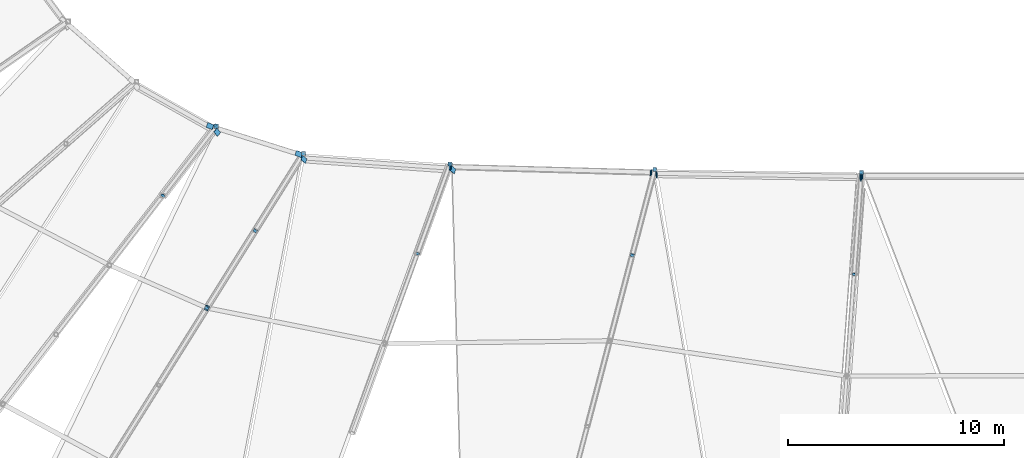
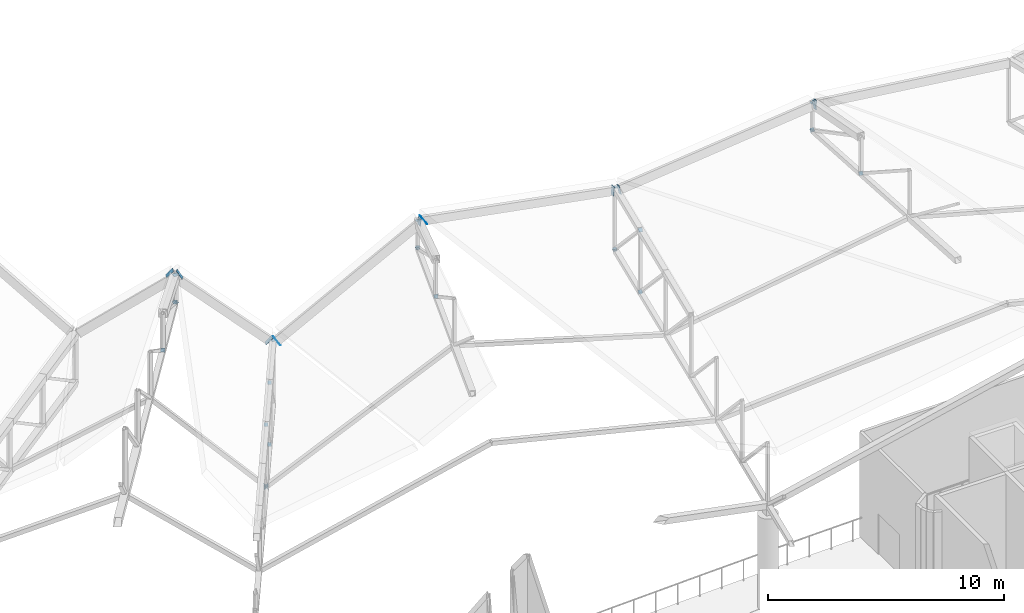
# One storey, part 286 of 344: 34 discrete accessories.
"""IFC4 building model written with IfcOpenShell, lengths in metres."""

from ifc_helpers import new_model, si_unit, direction, frame, origin, origin_2d, place, context, subcontext, project, spatial, rectangle, extrude, material, material_profile, profile_set, type_object, element, save


model = new_model("IFC4")

# Units and contexts
model_context = context("Model", 3, precision=1e-05, world=origin(), true_north=direction((0.0, 1.0)))
body_context = subcontext(model_context, "Body", "Model", "MODEL_VIEW")
ifc_project = project(units=[si_unit("LENGTHUNIT", "METRE"), si_unit("AREAUNIT", "SQUARE_METRE"), si_unit("VOLUMEUNIT", "CUBIC_METRE"), si_unit("PLANEANGLEUNIT", "RADIAN"), si_unit("MASSUNIT", "GRAM", prefix="KILO")], contexts=[model_context])

# Site, building, storey
site_placement = place(None, origin())
site = spatial("IfcSite", under=ifc_project, at=site_placement, CompositionType="ELEMENT")
building_placement = place(site_placement, origin())
building = spatial("IfcBuilding", under=site, at=building_placement, Name="Meseta Stadium", CompositionType="ELEMENT")
storey_placement = place(building_placement, frame((0.0, 0.0, 24.0)))
storey = spatial("IfcBuildingStorey", under=building, at=storey_placement, Name="L04", CompositionType="ELEMENT", Elevation=24.0)

# Discrete accessories
ifc_material_1 = material(Name="Steel S355", Category="steel")
ifc_material_profile_1 = material_profile(ifc_material_1, rectangle(XDim=0.179931640625, YDim=0.179931640625, at=origin_2d()), Name="PL 180x180")
ifc_profile_set_1 = profile_set([ifc_material_profile_1], Name="Steel S355")
discrete_accessory_type_1 = type_object("IfcDiscreteAccessoryType", Name="End plate 180x180x20", PredefinedType="ANCHORPLATE", material=ifc_profile_set_1)
for number, where, z_axis, x_axis, name in (
    (1, (-34.711669921875, -63.8134765625, 4.968994140625), (-0.537305024666, -0.6960542365, 0.4762476355), (0.791590320973, -0.611052177593, 0.0), "End plate of ROOF TRUSS RT-42 diagonal"),
    (2, (-37.1875, -67.033203125, 5.3017578125), (-0.500409485234, -0.659075907382, 0.561435032214), (0.79644631635, -0.604709240191, 0.0), "End plate of ROOF TRUSS RT-42 diagonal"),
    (3, (-30.68212890625, -65.100341796875, 2.346923828125), (0.0, 0.0, 1.0), (1.0, 0.0, 0.0), "End plate of ROOF TRUSS RT-43 post"),
    (4, (-32.91796875, -68.675537109375, 3.125732421875), (-0.392114465117, -0.612678851745, 0.686200313954), (0.842271400662, -0.539053696423, 0.0), "End plate of ROOF TRUSS RT-43 diagonal"),
):
    element("IfcDiscreteAccessory", number, at=place(storey_placement, frame(where, z_axis=z_axis, x_axis=x_axis)), inside=storey, type_object=discrete_accessory_type_1, Name=name, PredefinedType="ANCHORPLATE", context=body_context, shape_type="SweptSolid", body=[
        extrude(rectangle(XDim=0.179931640625, YDim=0.179931640625, at=origin_2d()), origin(), (0.0, 0.0, 1.0), 0.02001953125),
    ])
discrete_accessory_1_placement = place(storey_placement, frame((-32.91015625, -68.6630859375, -0.088134765625), z_axis=(-0.385962592087, -0.615127881139, 0.687495867155), x_axis=(0.847063894508, -0.531491071064, 0.0)))
element("IfcDiscreteAccessory", 5, at=discrete_accessory_1_placement, inside=storey, type_object=discrete_accessory_type_1, Name="End plate of ROOF TRUSS RT-43 diagonal", PredefinedType="ANCHORPLATE", context=body_context, shape_type="SweptSolid", body=[
    extrude(rectangle(XDim=0.179931640625, YDim=0.179931640625, at=origin_2d()), origin(), (0.0, 0.0, 1.0), 0.020263671875),
])
for number, where, z_axis, x_axis, name in (
    (6, (-35.15380859375, -72.25048828125, 3.904541015625), (-0.389174620288, -0.620247051084, 0.681055585504), (0.847063894508, -0.531491071064, 0.0), "End plate of ROOF TRUSS RT-43 diagonal"),
    (7, (-35.146240234375, -72.23828125, 0.690673828125), (-0.378442962685, -0.610391875299, 0.695846737841), (0.849902691712, -0.526939668862, 0.0), "End plate of ROOF TRUSS RT-43 diagonal"),
    (8, (-23.879638671875, -65.576904296875, 5.03271484375), (0.0, 0.0, 1.0), (1.0, 0.0, 0.0), "End plate of ROOF TRUSS RT-44 post"),
    (9, (-23.879638671875, -65.576904296875, 6.452880859375), (0.0, 0.0, 1.0), (1.0, 0.0, 0.0), "End plate of ROOF TRUSS RT-44 post"),
):
    element("IfcDiscreteAccessory", number, at=place(storey_placement, frame(where, z_axis=z_axis, x_axis=x_axis)), inside=storey, type_object=discrete_accessory_type_1, Name=name, PredefinedType="ANCHORPLATE", context=body_context, shape_type="SweptSolid", body=[
        extrude(rectangle(XDim=0.179931640625, YDim=0.179931640625, at=origin_2d()), origin(), (0.0, 0.0, 1.0), 0.02001953125),
    ])
discrete_accessory_2_placement = place(storey_placement, frame((-23.873779296875, -65.560546875, 5.043212890625), z_axis=(-0.295733401498, -0.825589079182, 0.480566777434), x_axis=(0.941423592782, -0.337226361594, 0.0)))
element("IfcDiscreteAccessory", 10, at=discrete_accessory_2_placement, inside=storey, type_object=discrete_accessory_type_1, Name="End plate of ROOF TRUSS RT-44 diagonal", PredefinedType="ANCHORPLATE", context=body_context, shape_type="SweptSolid", body=[
    extrude(rectangle(XDim=0.179931640625, YDim=0.179931640625, at=origin_2d()), origin(), (0.0, 0.0, 1.0), 0.019775390625),
])
for number, where, z_axis, x_axis, name in (
    (11, (-25.384765625, -69.7236328125, 5.578125), (-0.282044096163, -0.784818354541, 0.551825405536), (0.94107471628, -0.338198726163, 0.0), "End plate of ROOF TRUSS RT-44 diagonal"),
    (12, (-14.3896484375, -65.8369140625, 1.78515625), (0.0, 0.0, 1.0), (1.0, 0.0, 0.0), "End plate of ROOF TRUSS RT-45 post"),
):
    element("IfcDiscreteAccessory", number, at=place(storey_placement, frame(where, z_axis=z_axis, x_axis=x_axis)), inside=storey, type_object=discrete_accessory_type_1, Name=name, PredefinedType="ANCHORPLATE", context=body_context, shape_type="SweptSolid", body=[
        extrude(rectangle(XDim=0.179931640625, YDim=0.179931640625, at=origin_2d()), origin(), (0.0, 0.0, 1.0), 0.02001953125),
    ])
discrete_accessory_3_placement = place(storey_placement, frame((-14.3896484375, -65.8369140625, 5.00537109375), z_axis=(0.0, 0.0, 1.0), x_axis=(1.0, 0.0, 0.0)))
element("IfcDiscreteAccessory", 13, at=discrete_accessory_3_placement, inside=storey, type_object=discrete_accessory_type_1, Name="End plate of ROOF TRUSS RT-45 post", PredefinedType="ANCHORPLATE", context=body_context, shape_type="SweptSolid", body=[
    extrude(rectangle(XDim=0.179931640625, YDim=0.179931640625, at=origin_2d()), origin(), (0.0, 0.0, 1.0), 0.019775390625),
])
for number, where, z_axis, x_axis, name in (
    (14, (-14.385986328125, -65.822509765625, 1.791748046875), (-0.182831685835, -0.719137964286, 0.670382848063), (0.969168531094, -0.246398779092, 0.0), "End plate of ROOF TRUSS RT-45 diagonal"),
    (15, (-15.43310546875, -69.806640625, 5.5791015625), (-0.182831685835, -0.719137964286, 0.670382848063), (0.969168531094, -0.246398779092, 0.0), "End plate of ROOF TRUSS RT-45 diagonal"),
    (16, (-15.42919921875, -69.79248046875, 2.365478515625), (-0.196278391379, -0.71150916875, 0.674706970367), (0.963992618206, -0.265928998126, 0.0), "End plate of ROOF TRUSS RT-45 diagonal"),
):
    element("IfcDiscreteAccessory", number, at=place(storey_placement, frame(where, z_axis=z_axis, x_axis=x_axis)), inside=storey, type_object=discrete_accessory_type_1, Name=name, PredefinedType="ANCHORPLATE", context=body_context, shape_type="SweptSolid", body=[
        extrude(rectangle(XDim=0.179931640625, YDim=0.179931640625, at=origin_2d()), origin(), (0.0, 0.0, 1.0), 0.02001953125),
    ])
discrete_accessory_4_placement = place(storey_placement, frame((-4.80810546875, -65.981201171875, 4.694580078125), z_axis=(0.0, 0.0, 1.0), x_axis=(1.0, 0.0, 0.0)))
element("IfcDiscreteAccessory", 17, at=discrete_accessory_4_placement, inside=storey, type_object=discrete_accessory_type_1, Name="End plate of ROOF TRUSS RT-46 post", PredefinedType="ANCHORPLATE", context=body_context, shape_type="SweptSolid", body=[
    extrude(rectangle(XDim=0.179931640625, YDim=0.179931640625, at=origin_2d()), origin(), (0.0, 0.0, 1.0), 0.019775390625),
])
for number, where, z_axis, x_axis, name in (
    (18, (-4.80810546875, -65.981201171875, 6.114501953125), (0.0, 0.0, 1.0), (1.0, 0.0, 0.0), "End plate of ROOF TRUSS RT-46 post"),
    (19, (-4.806884765625, -65.9638671875, 4.70458984375), (-0.061240305661, -0.869612340392, 0.489922445291), (0.997529518435, -0.070248557636, 0.0), "End plate of ROOF TRUSS RT-46 diagonal"),
    (20, (-5.148681640625, -70.677734375, 5.435791015625), (-0.060790554368, -0.826751539405, 0.559273100186), (0.99730762529, -0.073331443036, 0.0), "End plate of ROOF TRUSS RT-46 diagonal"),
):
    element("IfcDiscreteAccessory", number, at=place(storey_placement, frame(where, z_axis=z_axis, x_axis=x_axis)), inside=storey, type_object=discrete_accessory_type_1, Name=name, PredefinedType="ANCHORPLATE", context=body_context, shape_type="SweptSolid", body=[
        extrude(rectangle(XDim=0.179931640625, YDim=0.179931640625, at=origin_2d()), origin(), (0.0, 0.0, 1.0), 0.02001953125),
    ])
ifc_material_2 = material(Name="Steel S355", Category="steel")
ifc_material_profile_2 = material_profile(ifc_material_2, rectangle(XDim=0.219970703125, YDim=0.219970703125, at=origin_2d()), Name="PL 220x220")
ifc_profile_set_2 = profile_set([ifc_material_profile_2], Name="Steel S355")
discrete_accessory_type_2 = type_object("IfcDiscreteAccessoryType", Name="End plate 220x220x20", PredefinedType="ANCHORPLATE", material=ifc_profile_set_2)
for number, where, z_axis, x_axis, name in (
    (21, (-34.722412109375, -63.827392578125, 4.95849609375), (0.0, 0.0, 1.0), (1.0, 0.0, 0.0), "End plate of ROOF TRUSS RT-42 post"),
    (22, (-34.722412109375, -63.827392578125, 6.37841796875), (0.0, 0.0, 1.0), (1.0, 0.0, 0.0), "End plate of ROOF TRUSS RT-42 post"),
):
    element("IfcDiscreteAccessory", number, at=place(storey_placement, frame(where, z_axis=z_axis, x_axis=x_axis)), inside=storey, type_object=discrete_accessory_type_2, Name=name, PredefinedType="ANCHORPLATE", context=body_context, shape_type="SweptSolid", body=[
        extrude(rectangle(XDim=0.219970703125, YDim=0.219970703125, at=origin_2d()), origin(), (0.0, 0.0, 1.0), 0.02001953125),
    ])
ifc_material_3 = material(Name="Steel S355", Category="steel")
ifc_material_profile_3 = material_profile(ifc_material_3, rectangle(XDim=0.239990234375, YDim=0.239990234375, at=origin_2d()), Name="PL 240x240")
ifc_profile_set_3 = profile_set([ifc_material_profile_3], Name="Steel S355")
discrete_accessory_type_3 = type_object("IfcDiscreteAccessoryType", Name="End plate 240x240x20", PredefinedType="ANCHORPLATE", material=ifc_profile_set_3)
discrete_accessory_5_placement = place(storey_placement, frame((-35.15380859375, -72.25048828125, 0.70458984375), z_axis=(0.645143246776, -0.292140338163, -0.706005817226), x_axis=(0.412507553308, 0.910954180222, 0.0)))
element("IfcDiscreteAccessory", 23, at=discrete_accessory_5_placement, inside=storey, type_object=discrete_accessory_type_3, Name="End plate of ROOF TRUSS STRUT RT-42/43", PredefinedType="ANCHORPLATE", context=body_context, shape_type="SweptSolid", body=[
    extrude(rectangle(XDim=0.239990234375, YDim=0.239990234375, at=origin_2d()), origin(), (0.0, 0.0, 1.0), 0.02001953125),
])
discrete_accessory_6_placement = place(storey_placement, frame((-35.17041015625, -72.247314453125, 0.693603515625), z_axis=(0.823531876813, -0.157439917626, 0.544984330244), x_axis=(0.187775807301, 0.982211915114, 0.0)))
element("IfcDiscreteAccessory", 24, at=discrete_accessory_6_placement, inside=storey, type_object=discrete_accessory_type_3, Name="End plate of ROOF TRUSS STRUT RT-43/44", PredefinedType="ANCHORPLATE", context=body_context, shape_type="SweptSolid", body=[
    extrude(rectangle(XDim=0.239990234375, YDim=0.239990234375, at=origin_2d()), origin(), (0.0, 0.0, 1.0), 0.020263671875),
])
ifc_material_4 = material(Name="Steel S355", Category="steel")
ifc_material_profile_4 = material_profile(ifc_material_4, rectangle(XDim=0.239990234375, YDim=0.43994140625, at=origin_2d()), Name="PL 240x440")
ifc_profile_set_4 = profile_set([ifc_material_profile_4], Name="Steel S355")
discrete_accessory_type_4 = type_object("IfcDiscreteAccessoryType", Name="End plate 240x440x20", PredefinedType="ANCHORPLATE", material=ifc_profile_set_4)
for number, where, z_axis, x_axis, name in (
    (25, (-34.685302734375, -64.10009765625, 6.56298828125), (0.710600779219, -0.404307339901, 0.575831665919), (0.602068709002, 0.772913595238, -0.200294393175), "End plate of TIP RING BEAM 42"),
    (26, (-35.0087890625, -63.820556640625, 6.574951171875), (0.695898595108, -0.219757451087, -0.683689847825), (0.327476356594, 0.944390266236, 0.029770134529), "End plate of TIP RING BEAM 43"),
    (27, (-30.89306640625, -65.1171875, 2.46044921875), (0.683689847825, -0.219757451087, -0.695898595108), (0.332780912771, 0.942549007823, 0.029295596041), "End plate of TIP RING BEAM 43"),
    (28, (-30.66455078125, -65.3642578125, 2.481201171875), (0.855888994553, -0.061134928182, 0.513533396732), (0.23904998544, 0.92730678241, -0.288022977828), "End plate of TIP RING BEAM 44"),
    (29, (-23.760009765625, -65.847900390625, 6.61328125), (0.855888994553, -0.061134928182, 0.513533396732), (0.23904998544, 0.92730678241, -0.288022977828), "End plate of TIP RING BEAM 44"),
    (30, (-23.884765625, -65.727783203125, 6.54638671875), (0.987071159699, -0.0243721274, -0.1584188281), (0.008271884957, 0.994800533704, -0.101506029683), "End plate of TIP RING BEAM 45"),
):
    element("IfcDiscreteAccessory", number, at=place(storey_placement, frame(where, z_axis=z_axis, x_axis=x_axis)), inside=storey, type_object=discrete_accessory_type_4, Name=name, PredefinedType="ANCHORPLATE", context=body_context, shape_type="SweptSolid", body=[
        extrude(rectangle(XDim=0.239990234375, YDim=0.43994140625, at=origin_2d()), origin(), (0.0, 0.0, 1.0), 0.02001953125),
    ])
discrete_accessory_7_placement = place(storey_placement, frame((-14.577880859375, -65.982666015625, 5.001708984375), z_axis=(0.986752353383, -0.024668808835, -0.160347257425), x_axis=(0.008380543549, 0.994802889624, -0.101474022715)))
element("IfcDiscreteAccessory", 31, at=discrete_accessory_7_placement, inside=storey, type_object=discrete_accessory_type_4, Name="End plate of TIP RING BEAM 45", PredefinedType="ANCHORPLATE", context=body_context, shape_type="SweptSolid", body=[
    extrude(rectangle(XDim=0.239990234375, YDim=0.43994140625, at=origin_2d()), origin(), (0.0, 0.0, 1.0), 0.019775390625),
])
discrete_accessory_8_placement = place(storey_placement, frame((-14.3193359375, -66.06396484375, 5.013427734375), z_axis=(0.992390743393, -0.012251737573, 0.122517375727), x_axis=(0.043621402217, 0.965483629913, -0.256784994964)))
element("IfcDiscreteAccessory", 32, at=discrete_accessory_8_placement, inside=storey, type_object=discrete_accessory_type_4, Name="End plate of TIP RING BEAM 46", PredefinedType="ANCHORPLATE", context=body_context, shape_type="SweptSolid", body=[
    extrude(rectangle(XDim=0.239990234375, YDim=0.43994140625, at=origin_2d()), origin(), (0.0, 0.0, 1.0), 0.02001953125),
])
discrete_accessory_9_placement = place(storey_placement, frame((-4.855712890625, -66.20654296875, 6.16259765625), z_axis=(0.992573153577, -0.012104550653, 0.121045506534), x_axis=(0.04309526864, 0.965494829332, -0.256831719916)))
element("IfcDiscreteAccessory", 33, at=discrete_accessory_9_placement, inside=storey, type_object=discrete_accessory_type_4, Name="End plate of TIP RING BEAM 46", PredefinedType="ANCHORPLATE", context=body_context, shape_type="SweptSolid", body=[
    extrude(rectangle(XDim=0.239990234375, YDim=0.43994140625, at=origin_2d()), origin(), (0.0, 0.0, 1.0), 0.020263671875),
])
discrete_accessory_10_placement = place(storey_placement, frame((-4.787841796875, -66.156982421875, 6.1435546875), z_axis=(0.992465233221, 0.0, -0.122526572003), x_axis=(-0.018881399944, 0.988055186291, -0.152939339544)))
element("IfcDiscreteAccessory", 34, at=discrete_accessory_10_placement, inside=storey, type_object=discrete_accessory_type_4, Name="End plate of TIP RING BEAM 47", PredefinedType="ANCHORPLATE", context=body_context, shape_type="SweptSolid", body=[
    extrude(rectangle(XDim=0.239990234375, YDim=0.43994140625, at=origin_2d()), origin(), (0.0, 0.0, 1.0), 0.02001953125),
])

save(model, "model.ifc")
